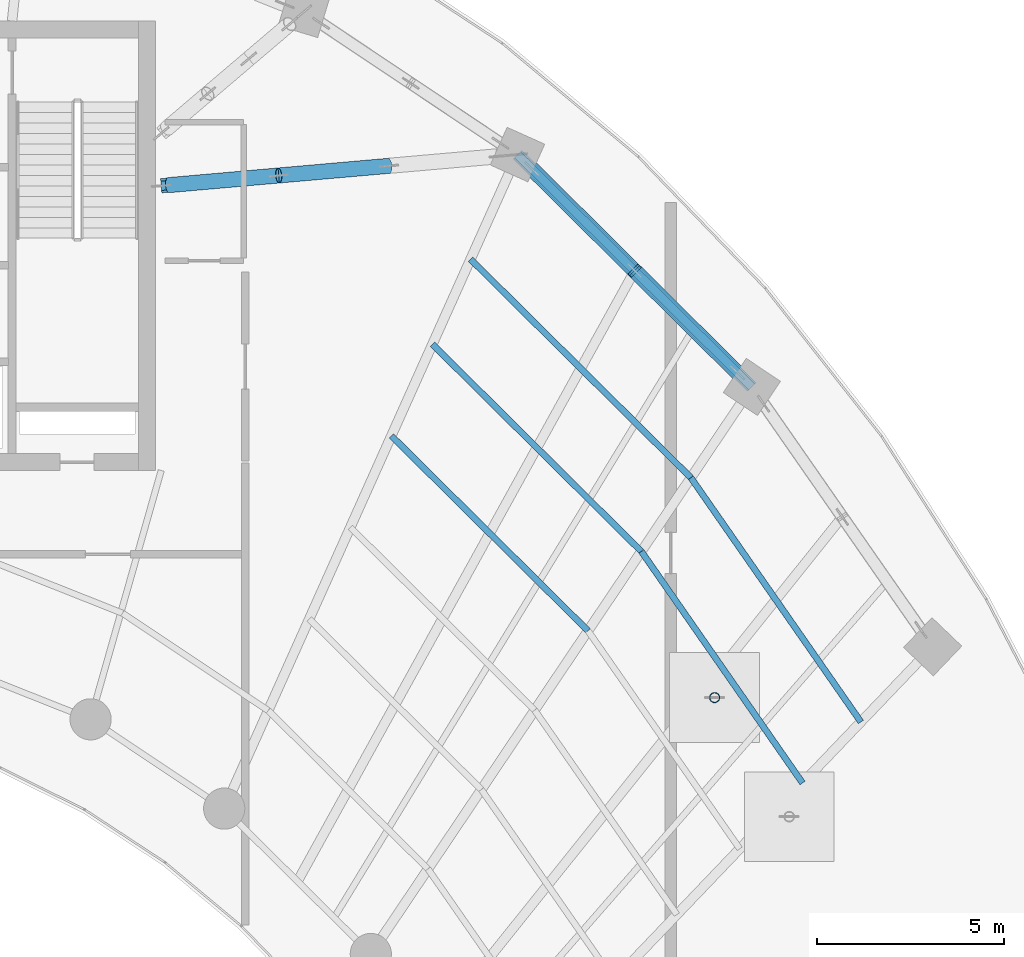
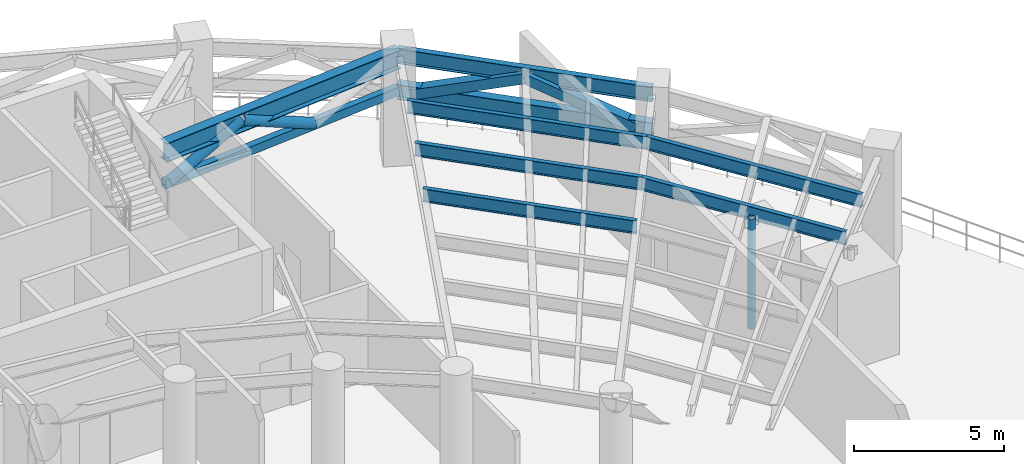
# One storey, part 4 of 24: 8 beams, 6 members.
"""IFC4 building model written with IfcOpenShell, lengths in metres."""

from ifc_helpers import new_model, si_unit, direction, frame, origin, origin_2d, place, context, subcontext, project, spatial, hollow_rectangle, hollow_circle, i_section, extrude, source, transform, mapped, material, material_profile, profile_set, type_object, type_shapes, element, save


model = new_model("IFC4")

# Units and contexts
model_context = context("Model", 3, precision=1e-05, world=origin(), true_north=direction((0.0, 1.0)))
body_context = subcontext(model_context, "Body", "Model", "MODEL_VIEW")
ifc_project = project(units=[si_unit("LENGTHUNIT", "METRE"), si_unit("AREAUNIT", "SQUARE_METRE"), si_unit("VOLUMEUNIT", "CUBIC_METRE"), si_unit("PLANEANGLEUNIT", "RADIAN"), si_unit("MASSUNIT", "GRAM", prefix="KILO")], contexts=[model_context])

# Site, building, storey
site_placement = place(None, origin())
site = spatial("IfcSite", under=ifc_project, at=site_placement, CompositionType="ELEMENT")
building_placement = place(site_placement, origin())
building = spatial("IfcBuilding", under=site, at=building_placement, Name="Breltana Convention Tower", CompositionType="ELEMENT")
storey_placement = place(building_placement, frame((0.0, 0.0, 189.60009765625)))
storey = spatial("IfcBuildingStorey", under=building, at=storey_placement, Name="L46", CompositionType="ELEMENT", Elevation=189.60009765625)

# Member
ifc_material_1 = material(Name="Steel EN 10210 S355J2H", Category="steel")
ifc_material_profile_1 = material_profile(ifc_material_1, hollow_rectangle(XDim=0.25, YDim=0.35009765625, WallThickness=0.011962890625, at=origin_2d()), Name="RHS350X250X12")
ifc_profile_set_1 = profile_set([ifc_material_profile_1], Name="Steel EN 10210 S355J2H")
member_type_1 = type_object("IfcMemberType", Name="MB-CH-RHS350X250X12", PredefinedType="CHORD", material=ifc_profile_set_1)
shared_shape_1 = source(origin(), body_context, "Body", "SweptSolid", [
    extrude(hollow_rectangle(XDim=0.25, YDim=0.35009765625, WallThickness=0.011962890625, at=origin_2d()), origin(), (0.0, 0.0, 1.0), 9.546875),
])
member_1_placement = place(storey_placement, frame((59.39990234375, 67.800048828125, 2.75), z_axis=(0.996183857182, 0.087279566283, 0.0), x_axis=(-0.087279566283, 0.996183857182, 0.0)))
element("IfcMember", 1, at=member_1_placement, inside=storey, type_object=member_type_1, Name="L46 Outrigger Truss Bottom Chord R09E", PredefinedType="CHORD", context=body_context, shape_type="MappedRepresentation", body=[
    mapped(shared_shape_1, transform((0.0, 0.0, 0.0), scale=1.0)),
])

# Beams
ifc_material_2 = material(Name="Steel ASTM A992 Grade 50", Category="steel")
ifc_material_profile_2 = material_profile(ifc_material_2, i_section(OverallWidth=0.323974609375, OverallDepth=0.611083984375, WebThickness=0.0126953125, FlangeThickness=0.01904296875, at=origin_2d()), Name="W24X104")
ifc_profile_set_2 = profile_set([ifc_material_profile_2], Name="Steel ASTM A992 Grade 50")
beam_type_1 = type_object("IfcBeamType", Name="BM-SP-W24X104", PredefinedType="SPANDREL", material=ifc_profile_set_2)
shared_shape_2 = source(origin(), body_context, "Body", "SweptSolid", [
    extrude(i_section(OverallWidth=0.323974609375, OverallDepth=0.611083984375, WebThickness=0.0126953125, FlangeThickness=0.01904296875, at=origin_2d()), origin(), (0.0, 0.0, 1.0), 8.810302734375),
])
beam_1_placement = place(storey_placement, frame((68.910400390625, 68.63330078125, 2.75), z_axis=(0.710120823582, -0.704079836322, 0.0), x_axis=(0.704079836322, 0.710120823582, 0.0)))
element("IfcBeam", 2, at=beam_1_placement, inside=storey, type_object=beam_type_1, Name="L46 Perimeter Belt Truss Sill Chord 09", PredefinedType="SPANDREL", context=body_context, shape_type="MappedRepresentation", body=[
    mapped(shared_shape_2, transform((0.0, 0.0, 0.0), scale=1.0)),
])
ifc_material_profile_3 = material_profile(ifc_material_2, i_section(OverallWidth=0.381103515625, OverallDepth=0.77294921875, WebThickness=0.0166015625, FlangeThickness=0.027099609375, at=origin_2d()), Name="W30X173")
ifc_profile_set_3 = profile_set([ifc_material_profile_3], Name="Steel ASTM A992 Grade 50")
beam_type_2 = type_object("IfcBeamType", Name="BM-OT-W30X173", PredefinedType="USERDEFINED", material=ifc_profile_set_3)
shared_shape_3 = source(origin(), body_context, "Body", "SweptSolid", [
    extrude(i_section(OverallWidth=0.381103515625, OverallDepth=0.77294921875, WebThickness=0.0166015625, FlangeThickness=0.027099609375, at=origin_2d()), origin(), (0.0, 0.0, 1.0), 9.546875),
])
beam_2_placement = place(storey_placement, frame((59.39990234375, 67.800048828125, 4.093505859375), z_axis=(0.996183857182, 0.087279566283, 0.0), x_axis=(-0.087279566283, 0.996183857182, 0.0)))
element("IfcBeam", 3, at=beam_2_placement, inside=storey, type_object=beam_type_2, Name="L46 Outrigger Top Chord R09E", ObjectType="GIRDER", PredefinedType="USERDEFINED", context=body_context, shape_type="MappedRepresentation", body=[
    mapped(shared_shape_3, transform((0.0, 0.0, 0.0), scale=1.0)),
])

# Members
ifc_material_profile_4 = material_profile(ifc_material_1, hollow_circle(Radius=0.202880859375, WallThickness=0.01611328125, at=origin_2d()), Name="CHS406X16")
ifc_profile_set_4 = profile_set([ifc_material_profile_4], Name="Steel EN 10210 S355J2H")
member_type_2 = type_object("IfcMemberType", Name="MB-BR-CHS406X16", PredefinedType="BRACE", material=ifc_profile_set_4)
shared_shape_4 = source(origin(), body_context, "Body", "SweptSolid", [
    extrude(hollow_circle(Radius=0.202880859375, WallThickness=0.01611328125, at=origin_2d()), origin(), (0.0, 0.0, 1.0), 3.240966796875),
])
member_2_placement = place(storey_placement, frame((59.59912109375, 67.8173828125, 2.75), z_axis=(0.906547992448, 0.079475497094, 0.414553232711), x_axis=(-0.087333305676, 0.996179147403, 0.0)))
element("IfcMember", 4, at=member_2_placement, inside=storey, type_object=member_type_2, Name="L46 Outrigger Truss Diagonal 1 R09E", PredefinedType="BRACE", context=body_context, shape_type="MappedRepresentation", body=[
    mapped(shared_shape_4, transform((0.0, 0.0, 0.0), scale=1.0)),
])
shared_shape_5 = source(origin(), body_context, "Body", "SweptSolid", [
    extrude(hollow_circle(Radius=0.202880859375, WallThickness=0.01611328125, at=origin_2d()), origin(), (0.0, 0.0, 1.0), 3.240478515625),
])
member_3_placement = place(storey_placement, frame((62.537109375, 68.074951171875, 4.093505859375), z_axis=(0.906526569311, 0.079411486374, -0.414612342995), x_axis=(-0.087265548524, 0.996185085233, 0.0)))
element("IfcMember", 5, at=member_3_placement, inside=storey, type_object=member_type_2, Name="L46 Outrigger Truss Diagonal 2 R09E", PredefinedType="BRACE", context=body_context, shape_type="MappedRepresentation", body=[
    mapped(shared_shape_5, transform((0.0, 0.0, 0.0), scale=1.0)),
])
ifc_material_profile_5 = material_profile(ifc_material_1, hollow_rectangle(XDim=0.39990234375, YDim=0.39990234375, WallThickness=0.01611328125, at=origin_2d()), Name="RHS400X400X16")
ifc_profile_set_5 = profile_set([ifc_material_profile_5], Name="Steel EN 10210 S355J2H")
member_type_3 = type_object("IfcMemberType", Name="MB-BR-RHS400X400X16", PredefinedType="BRACE", material=ifc_profile_set_5)
shared_shape_6 = source(origin(), body_context, "Body", "SweptSolid", [
    extrude(hollow_rectangle(XDim=0.39990234375, YDim=0.39990234375, WallThickness=0.01611328125, at=origin_2d()), origin(), (0.0, 0.0, 1.0), 4.08251953125),
])
for number, where, z_axis, x_axis, name in (
    (6, (69.301025390625, 68.24609375, 2.75), (0.670554938955, -0.664873790359, 0.329088007586), (0.704092253317, 0.710108512003, 0.0), "L46 Perimeter Belt Truss Brace 09A"),
    (7, (72.03857421875, 65.53173828125, 4.093505859375), (0.670554938955, -0.664873790359, -0.329088007586), (0.704092253317, 0.710108512003, 0.0), "L46 Perimeter Belt Truss Brace 09B"),
):
    element("IfcMember", number, at=place(storey_placement, frame(where, z_axis=z_axis, x_axis=x_axis)), inside=storey, type_object=member_type_3, Name=name, PredefinedType="BRACE", context=body_context, shape_type="MappedRepresentation", body=[
        mapped(shared_shape_6, transform((0.0, 0.0, 0.0), scale=1.0)),
    ])
ifc_material_profile_6 = material_profile(ifc_material_1, hollow_circle(Radius=0.136474609375, WallThickness=0.011962890625, at=origin_2d()), Name="CHS273X12")
ifc_profile_set_6 = profile_set([ifc_material_profile_6], Name="Steel EN 10210 S355J2H")
member_type_4 = type_object("IfcMemberType", Name="MB-ST-CHS273X12", PredefinedType="STRUT", material=ifc_profile_set_6)
shared_shape_7 = source(origin(), body_context, "Body", "SweptSolid", [
    extrude(hollow_circle(Radius=0.136474609375, WallThickness=0.011962890625, at=origin_2d()), origin(), (0.0, 0.0, 1.0), 4.47998046875),
])
type_shapes(member_type_4, [shared_shape_7])
member_4_placement = place(storey_placement, frame((74.17333984375, 54.1376953125, 0.0), z_axis=(0.0, 0.0, 1.0), x_axis=(1.0, 0.0, 0.0)))
element("IfcMember", 8, at=member_4_placement, inside=storey, type_object=member_type_4, Name="Venturi Wind Turbine Support Spindle 3", PredefinedType="STRUT", context=body_context, shape_type="MappedRepresentation", body=[
    mapped(shared_shape_7, transform((0.0, 0.0, 0.0), scale=1.0)),
])

# Beams
ifc_material_profile_7 = material_profile(ifc_material_2, i_section(OverallWidth=0.22802734375, OverallDepth=0.60791015625, WebThickness=0.01123046875, FlangeThickness=0.017333984375, at=origin_2d()), Name="W24X76")
ifc_profile_set_7 = profile_set([ifc_material_profile_7], Name="Steel ASTM A992 Grade 50")
beam_type_3 = type_object("IfcBeamType", Name="BM-SP-W24X76", PredefinedType="SPANDREL", material=ifc_profile_set_7)
shared_shape_8 = source(origin(), body_context, "Body", "SweptSolid", [
    extrude(i_section(OverallWidth=0.22802734375, OverallDepth=0.60791015625, WebThickness=0.01123046875, FlangeThickness=0.017333984375, at=origin_2d()), origin(), (0.0, 0.0, 1.0), 8.810302734375),
])
beam_3_placement = place(storey_placement, frame((68.910400390625, 68.63330078125, 4.17578125), z_axis=(0.710120823582, -0.704079836322, 0.0), x_axis=(0.704079836322, 0.710120823582, 0.0)))
element("IfcBeam", 9, at=beam_3_placement, inside=storey, type_object=beam_type_3, Name="L46 Outer Spandrel Beam 09", PredefinedType="SPANDREL", context=body_context, shape_type="MappedRepresentation", body=[
    mapped(shared_shape_8, transform((0.0, 0.0, 0.0), scale=1.0)),
])
ifc_material_profile_8 = material_profile(ifc_material_2, i_section(OverallWidth=0.166015625, OverallDepth=0.534912109375, WebThickness=0.01025390625, FlangeThickness=0.0166015625, at=origin_2d()), Name="W21X57")
ifc_profile_set_8 = profile_set([ifc_material_profile_8], Name="Steel ASTM A992 Grade 50")
beam_type_4 = type_object("IfcBeamType", Name="BM-JSG-05", PredefinedType="JOIST", material=ifc_profile_set_8)
shared_shape_9 = source(origin(), body_context, "Body", "SweptSolid", [
    extrude(i_section(OverallWidth=0.166015625, OverallDepth=0.534912109375, WebThickness=0.01025390625, FlangeThickness=0.0166015625, at=origin_2d()), origin(), (0.0, 0.0, 1.0), 7.391845703125),
])
beam_4_placement = place(storey_placement, frame((65.544189453125, 61.1259765625, 4.21240234375), z_axis=(0.710105958319, -0.704094828812, 0.0), x_axis=(0.704094828812, 0.710105958319, 0.0)))
element("IfcBeam", 10, at=beam_4_placement, inside=storey, type_object=beam_type_4, Name="L46 Composite Floor Joist 09.4", PredefinedType="JOIST", context=body_context, shape_type="MappedRepresentation", body=[
    mapped(shared_shape_9, transform((0.0, 0.0, 0.0), scale=1.0)),
])
shared_shape_10 = source(origin(), body_context, "Body", "SweptSolid", [
    extrude(i_section(OverallWidth=0.166015625, OverallDepth=0.534912109375, WebThickness=0.01025390625, FlangeThickness=0.0166015625, at=origin_2d()), origin(), (0.0, 0.0, 1.0), 7.853759765625),
])
beam_5_placement = place(storey_placement, frame((66.64013671875, 63.5703125, 4.21240234375), z_axis=(0.710115639208, -0.70408506514, 0.0), x_axis=(0.70408506514, 0.710115639208, 0.0)))
element("IfcBeam", 11, at=beam_5_placement, inside=storey, type_object=beam_type_4, Name="L46 Composite Floor Joist 09.5", PredefinedType="JOIST", context=body_context, shape_type="MappedRepresentation", body=[
    mapped(shared_shape_10, transform((0.0, 0.0, 0.0), scale=1.0)),
])
shared_shape_11 = source(origin(), body_context, "Body", "SweptSolid", [
    extrude(i_section(OverallWidth=0.166015625, OverallDepth=0.534912109375, WebThickness=0.01025390625, FlangeThickness=0.0166015625, at=origin_2d()), origin(), (0.0, 0.0, 1.0), 8.2822265625),
])
beam_6_placement = place(storey_placement, frame((67.657958984375, 65.83984375, 4.21240234375), z_axis=(0.710107068817, -0.704093708832, 0.0), x_axis=(0.704093708832, 0.710107068817, 0.0)))
element("IfcBeam", 12, at=beam_6_placement, inside=storey, type_object=beam_type_4, Name="L46 Composite Floor Joist 09.6", PredefinedType="JOIST", context=body_context, shape_type="MappedRepresentation", body=[
    mapped(shared_shape_11, transform((0.0, 0.0, 0.0), scale=1.0)),
])
shared_shape_12 = source(origin(), body_context, "Body", "SweptSolid", [
    extrude(i_section(OverallWidth=0.166015625, OverallDepth=0.534912109375, WebThickness=0.01025390625, FlangeThickness=0.0166015625, at=origin_2d()), origin(), (0.0, 0.0, 1.0), 7.5322265625),
])
beam_7_placement = place(storey_placement, frame((72.21728515625, 58.04052734375, 4.21240234375), z_axis=(0.57120218088, -0.820809398434, 0.0), x_axis=(0.820809398434, 0.57120218088, 0.0)))
element("IfcBeam", 13, at=beam_7_placement, inside=storey, type_object=beam_type_4, Name="L46 Composite Floor Joist 10.5", PredefinedType="JOIST", context=body_context, shape_type="MappedRepresentation", body=[
    mapped(shared_shape_12, transform((0.0, 0.0, 0.0), scale=1.0)),
])
shared_shape_13 = source(origin(), body_context, "Body", "SweptSolid", [
    extrude(i_section(OverallWidth=0.166015625, OverallDepth=0.534912109375, WebThickness=0.01025390625, FlangeThickness=0.0166015625, at=origin_2d()), origin(), (0.0, 0.0, 1.0), 7.94384765625),
])
beam_8_placement = place(storey_placement, frame((73.539306640625, 60.00830078125, 4.21240234375), z_axis=(0.571213957374, -0.820801203034, 0.0), x_axis=(0.820801203034, 0.571213957374, 0.0)))
element("IfcBeam", 14, at=beam_8_placement, inside=storey, type_object=beam_type_4, Name="L46 Composite Floor Joist 10.6", PredefinedType="JOIST", context=body_context, shape_type="MappedRepresentation", body=[
    mapped(shared_shape_13, transform((0.0, 0.0, 0.0), scale=1.0)),
])

save(model, "model.ifc")
